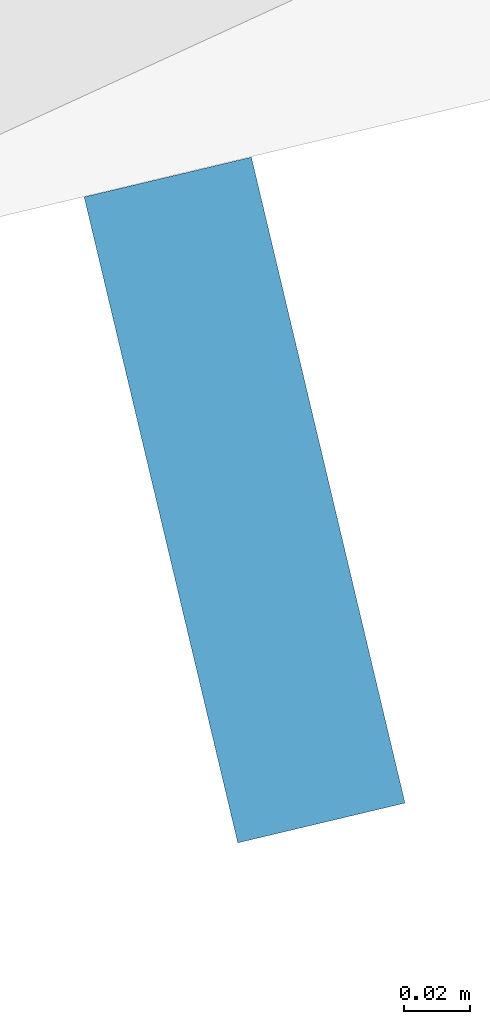
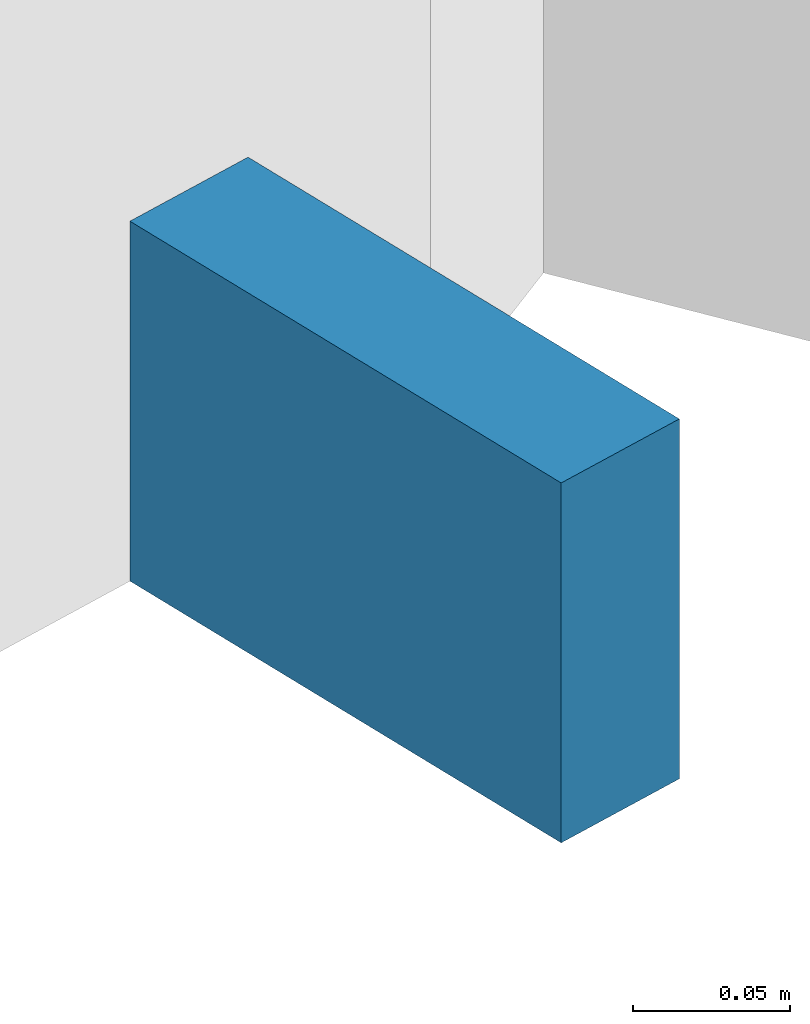
# One storey, part 13 of 29: 1 member, 1 element without a shape of its own.
"""IFC4 building model written with IfcOpenShell, lengths in metres."""

from ifc_helpers import new_model, si_unit, direction, frame, origin, origin_2d, place, context, subcontext, project, spatial, rectangle, extrude, material, material_profile, profile_set, type_object, element, aggregate, save


model = new_model("IFC4")

# Units and contexts
model_context = context("Model", 3, precision=1e-05, world=origin(), true_north=direction((0.0, 1.0)))
body_context = subcontext(model_context, "Body", "Model", "MODEL_VIEW")
ifc_project = project(units=[si_unit("LENGTHUNIT", "METRE"), si_unit("AREAUNIT", "SQUARE_METRE"), si_unit("VOLUMEUNIT", "CUBIC_METRE"), si_unit("PLANEANGLEUNIT", "RADIAN"), si_unit("MASSUNIT", "GRAM", prefix="KILO")], contexts=[model_context])

# Site, building, storey
site_placement = place(None, origin())
site = spatial("IfcSite", under=ifc_project, at=site_placement, CompositionType="ELEMENT")
building_placement = place(site_placement, origin())
building = spatial("IfcBuilding", under=site, at=building_placement, Name="Orlundy Tower", CompositionType="ELEMENT")
storey_placement = place(building_placement, frame((0.0, 0.0, 184.60009765625)))
storey = spatial("IfcBuildingStorey", under=building, at=storey_placement, Name="L48", CompositionType="ELEMENT", Elevation=184.60009765625)

# Curtain wall, member
ifc_material_1 = material(Name="Aluminium bronze anodised", Category="aluminium")
curtain_wall_type = type_object("IfcCurtainWallType", Name="CW5 wall", PredefinedType="NOTDEFINED", material=ifc_material_1)
curtain_wall_placement = place(storey_placement, origin())
curtain_wall = element("IfcCurtainWall", 1, at=curtain_wall_placement, inside=storey, type_object=curtain_wall_type, Name="CW5 run 028", PredefinedType="NOTDEFINED")
ifc_material_2 = material(Name="Aluminium bronze anodised", Category="aluminium")
ifc_material_profile = material_profile(ifc_material_2, rectangle(XDim=0.199951171875, YDim=0.139892578125, at=origin_2d()), Name="CW5 transom 200x140")
ifc_profile_set = profile_set([ifc_material_profile], Name="Aluminium bronze anodised")
member_type = type_object("IfcMemberType", Name="CW5 transom 200x140", PredefinedType="USERDEFINED", material=ifc_profile_set)
member_placement = place(storey_placement, frame((34.285400390625, -18.10693359375, -0.35009765625), z_axis=(-0.972856863145, -0.231407700457, 0.0), x_axis=(0.231407700457, -0.972856863145, 0.0)))
member = element("IfcMember", 2, at=member_placement, type_object=member_type, Name="CW5 transom", ObjectType="TRANSOM", PredefinedType="USERDEFINED", context=body_context, shape_type="SweptSolid", body=[
    extrude(rectangle(XDim=0.199951171875, YDim=0.139892578125, at=origin_2d()), origin(), (0.0, 0.0, 1.0), 0.0517578125),
])
aggregate(curtain_wall, [member])

save(model, "model.ifc")
